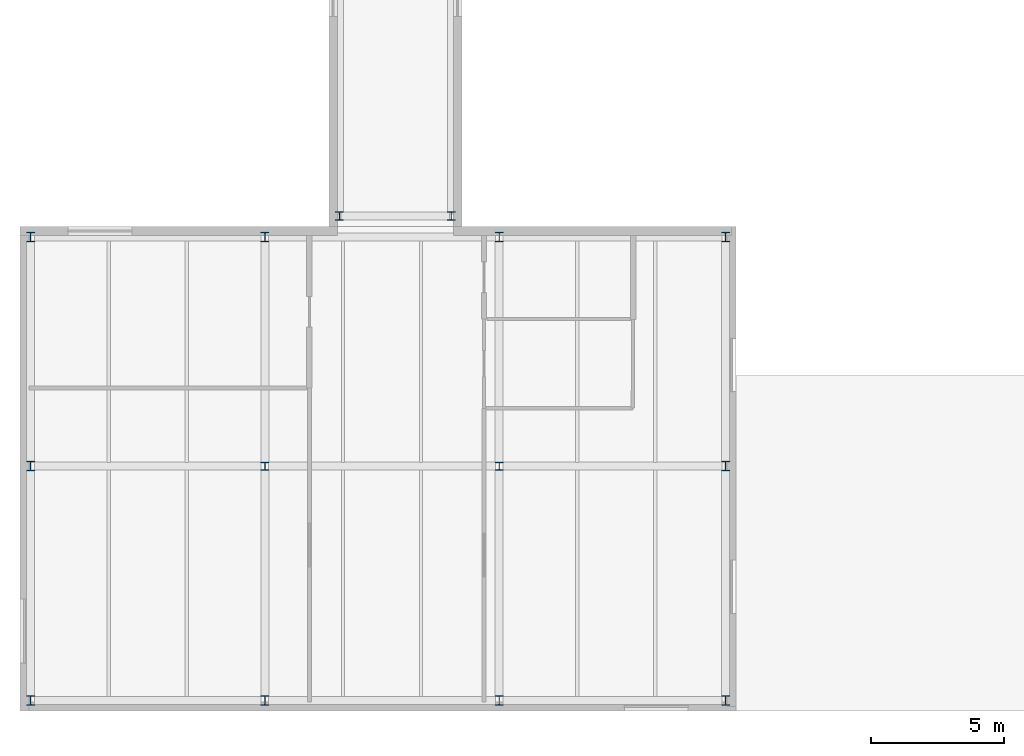
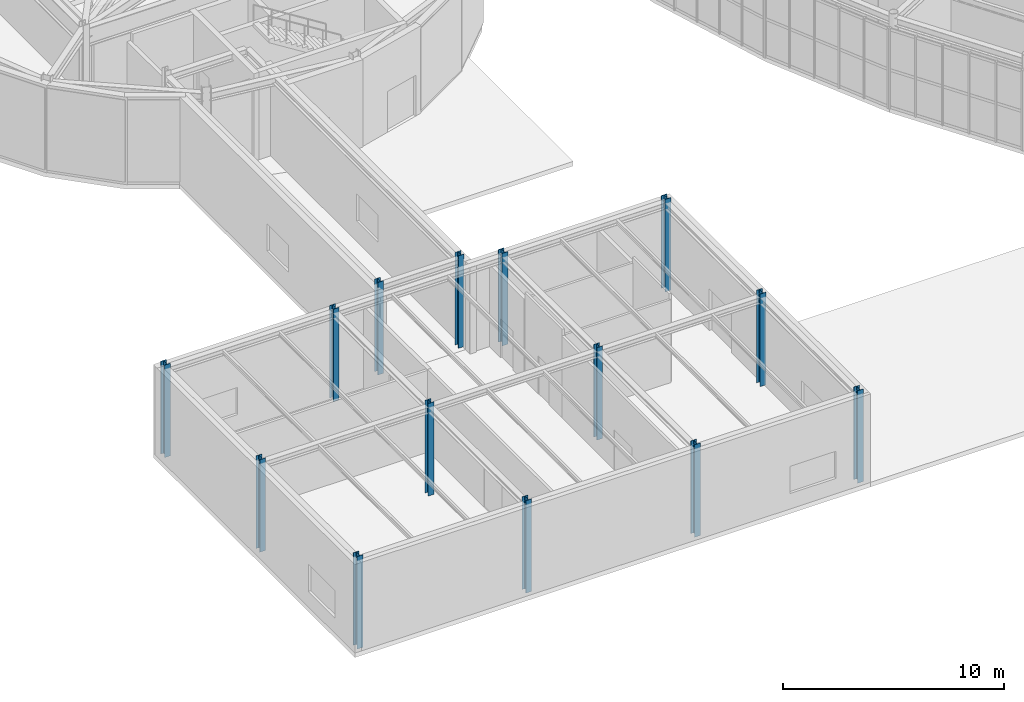
# One storey, part 1 of 97: 14 columns.
"""IFC4 building model written with IfcOpenShell, lengths in metres."""

from ifc_helpers import new_model, si_unit, direction, frame, origin, origin_2d, place, context, subcontext, project, spatial, i_section, extrude, material, material_profile, profile_set, type_object, element, save


model = new_model("IFC4")

# Units and contexts
model_context = context("Model", 3, precision=1e-05, world=origin(), true_north=direction((0.0, 1.0)))
body_context = subcontext(model_context, "Body", "Model", "MODEL_VIEW")
ifc_project = project(units=[si_unit("LENGTHUNIT", "METRE"), si_unit("AREAUNIT", "SQUARE_METRE"), si_unit("VOLUMEUNIT", "CUBIC_METRE"), si_unit("PLANEANGLEUNIT", "RADIAN"), si_unit("MASSUNIT", "GRAM", prefix="KILO")], contexts=[model_context])

# Site, building, storey
site_placement = place(None, origin())
site = spatial("IfcSite", under=ifc_project, at=site_placement, CompositionType="ELEMENT")
building_placement = place(site_placement, origin())
building = spatial("IfcBuilding", under=site, at=building_placement, Name="Varnklinge Art Gallery", CompositionType="ELEMENT")
storey_placement = place(building_placement, origin())
storey = spatial("IfcBuildingStorey", under=building, at=storey_placement, Name="L00", CompositionType="ELEMENT", Elevation=0.0)

# Columns
ifc_material_1 = material(Name="Steel S355", Category="steel")
ifc_material_profile_1 = material_profile(ifc_material_1, i_section(OverallWidth=0.300048828125, OverallDepth=0.320068359375, WebThickness=0.011474609375, FlangeThickness=0.0205078125, FilletRadius=0.027099609375, at=origin_2d()), Name="HEB 320")
ifc_profile_set_1 = profile_set([ifc_material_profile_1], Name="Steel S355")
column_type_1 = type_object("IfcColumnType", Name="COL-09", PredefinedType="COLUMN", material=ifc_profile_set_1)
for number, where, z_axis, x_axis, name in (
    (1, (15.60009765625, 22.0, 0.0), (0.0, 0.0, 1.0), (1.0, 0.0, 0.0), "L00 Column LNK-SW-C1"),
    (2, (19.800048828125, 22.0, 0.0), (0.0, 0.0, 1.0), (1.0, 0.0, 0.0), "L00 Column LNK-SW-C2"),
):
    element("IfcColumn", number, at=place(storey_placement, frame(where, z_axis=z_axis, x_axis=x_axis)), inside=storey, type_object=column_type_1, Name=name, PredefinedType="COLUMN", context=body_context, shape_type="SweptSolid", body=[
        extrude(i_section(OverallWidth=0.300048828125, OverallDepth=0.320068359375, WebThickness=0.011474609375, FlangeThickness=0.0205078125, FilletRadius=0.027099609375, at=origin_2d()), origin(), (0.0, 0.0, 1.0), 5.10009765625),
    ])
ifc_material_2 = material(Name="Steel S355", Category="steel")
ifc_material_profile_2 = material_profile(ifc_material_2, i_section(OverallWidth=0.300048828125, OverallDepth=0.300048828125, WebThickness=0.010986328125, FlangeThickness=0.01904296875, FilletRadius=0.027099609375, at=origin_2d()), Name="HEB 300")
ifc_profile_set_2 = profile_set([ifc_material_profile_2], Name="Steel S355")
column_type_2 = type_object("IfcColumnType", Name="COL-10", PredefinedType="COLUMN", material=ifc_profile_set_2)
for number, where, z_axis, x_axis, name in (
    (3, (12.800048828125, 12.60009765625, 0.0), (0.0, 0.0, 1.0), (1.0, 0.0, 0.0), "L00 Column V6SW-2-2"),
    (4, (21.60009765625, 12.60009765625, 0.0), (0.0, 0.0, 1.0), (1.0, 0.0, 0.0), "L00 Column V6SW-3-2"),
):
    element("IfcColumn", number, at=place(storey_placement, frame(where, z_axis=z_axis, x_axis=x_axis)), inside=storey, type_object=column_type_2, Name=name, PredefinedType="COLUMN", context=body_context, shape_type="SweptSolid", body=[
        extrude(i_section(OverallWidth=0.300048828125, OverallDepth=0.300048828125, WebThickness=0.010986328125, FlangeThickness=0.01904296875, FilletRadius=0.027099609375, at=origin_2d()), origin(), (0.0, 0.0, 1.0), 5.10009765625),
    ])
ifc_material_3 = material(Name="Steel S355", Category="steel")
ifc_material_profile_3 = material_profile(ifc_material_3, i_section(OverallWidth=0.300048828125, OverallDepth=0.360107421875, WebThickness=0.012451171875, FlangeThickness=0.0224609375, FilletRadius=0.027099609375, at=origin_2d()), Name="HEB 360")
ifc_profile_set_3 = profile_set([ifc_material_profile_3], Name="Steel S355")
column_type_3 = type_object("IfcColumnType", Name="COL-E4", PredefinedType="COLUMN", material=ifc_profile_set_3)
for number, where, z_axis, x_axis, name in (
    (5, (4.0, 3.800048828125, 0.0), (0.0, 0.0, 1.0), (1.0, 0.0, 0.0), "L00 Column V6SW-1-1"),
    (6, (4.0, 12.60009765625, 0.0), (0.0, 0.0, 1.0), (1.0, 0.0, 0.0), "L00 Column V6SW-1-2"),
    (7, (4.0, 21.199951171875, 0.0), (0.0, 0.0, 1.0), (1.0, 0.0, 0.0), "L00 Column V6SW-1-3"),
    (8, (12.800048828125, 3.800048828125, 0.0), (0.0, 0.0, 1.0), (1.0, 0.0, 0.0), "L00 Column V6SW-2-1"),
    (9, (12.800048828125, 21.199951171875, 0.0), (0.0, 0.0, 1.0), (1.0, 0.0, 0.0), "L00 Column V6SW-2-3"),
    (10, (21.60009765625, 3.800048828125, 0.0), (0.0, 0.0, 1.0), (1.0, 0.0, 0.0), "L00 Column V6SW-3-1"),
    (11, (21.60009765625, 21.199951171875, 0.0), (0.0, 0.0, 1.0), (1.0, 0.0, 0.0), "L00 Column V6SW-3-3"),
    (12, (30.10009765625, 3.800048828125, 0.0), (0.0, 0.0, 1.0), (1.0, 0.0, 0.0), "L00 Column V6SW-4-1"),
    (13, (30.10009765625, 12.60009765625, 0.0), (0.0, 0.0, 1.0), (1.0, 0.0, 0.0), "L00 Column V6SW-4-2"),
    (14, (30.10009765625, 21.199951171875, 0.0), (0.0, 0.0, 1.0), (1.0, 0.0, 0.0), "L00 Column V6SW-4-3"),
):
    element("IfcColumn", number, at=place(storey_placement, frame(where, z_axis=z_axis, x_axis=x_axis)), inside=storey, type_object=column_type_3, Name=name, PredefinedType="COLUMN", context=body_context, shape_type="SweptSolid", body=[
        extrude(i_section(OverallWidth=0.300048828125, OverallDepth=0.360107421875, WebThickness=0.012451171875, FlangeThickness=0.0224609375, FilletRadius=0.027099609375, at=origin_2d()), origin(), (0.0, 0.0, 1.0), 5.10009765625),
    ])

save(model, "model.ifc")
